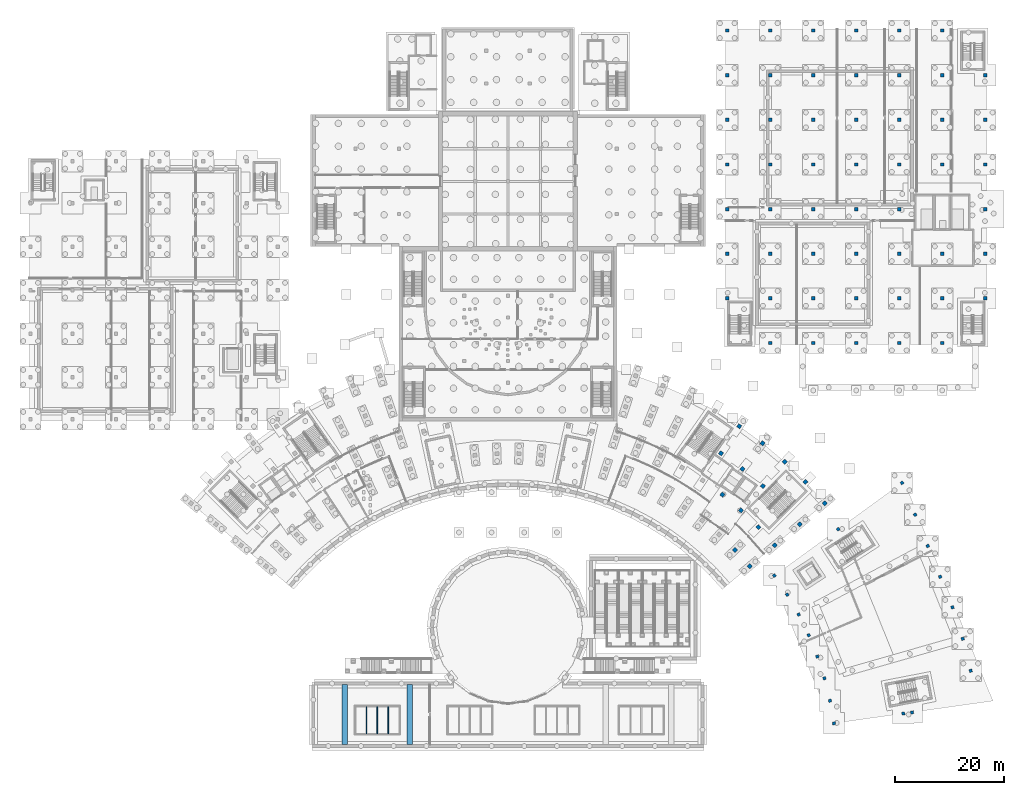
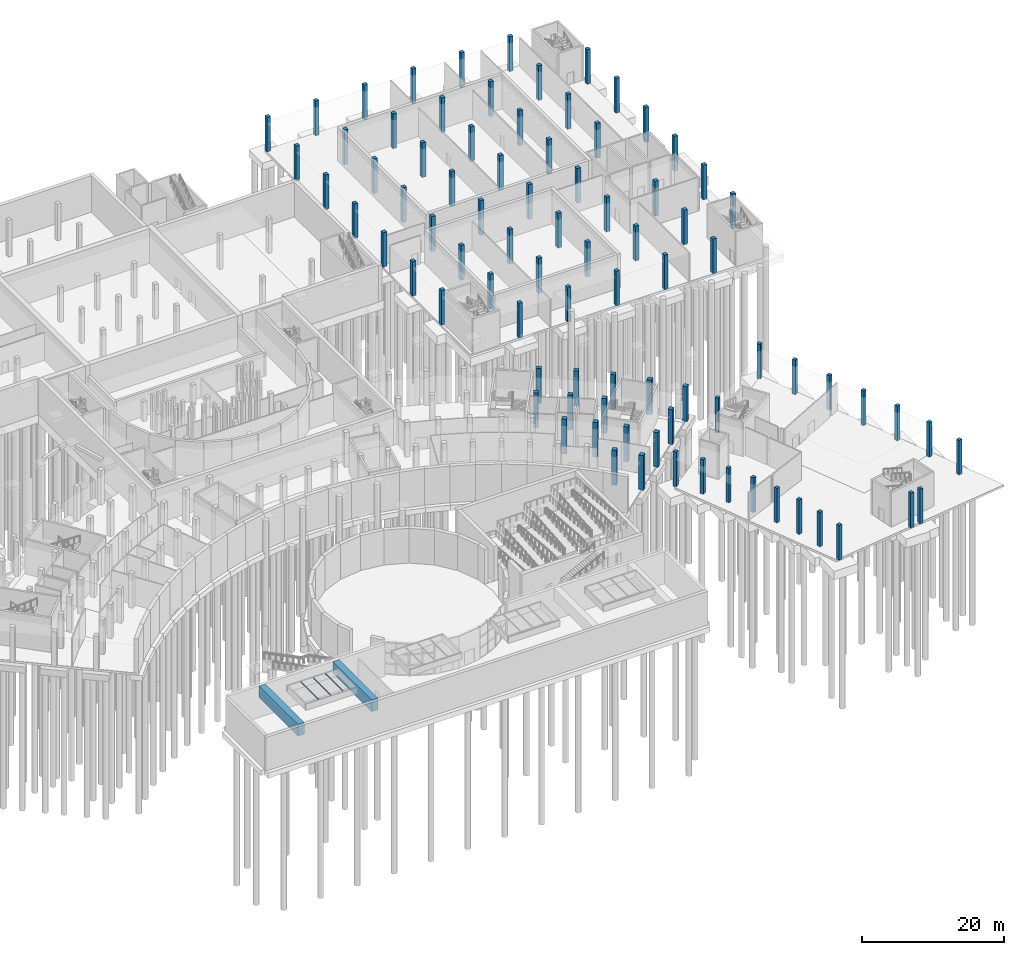
# One storey, part 12 of 66: 85 columns, 5 beams.
"""IFC4 building model written with IfcOpenShell, lengths in metres."""

import ifcopenshell
import ifcopenshell.guid

model = None  # the IFC model being written
_history = None  # IfcOwnerHistory: only IFC2X3 demands one
_inside = {}  # id of a spatial element -> (the spatial element, [elements in it])
_under = {}  # id of a project, library or spatial element -> (it, [spatial elements below it])
_declared = {}  # id of a project -> (the project, [libraries it declares])
_typed = {}  # id of a type object -> (the type object, [elements of that type])
_made_of = {}  # id of a material, layer set ... -> (it, [elements and type objects made of it])


def new_model(schema):
    """Start an empty IFC model of exactly this schema.

    Asked for "IFC4X3", IfcOpenShell would pick the latest addendum, in which some entities
    have other attributes; the version numbers below select the first issue.
    IFC2X3 requires an IfcOwnerHistory on every rooted entity: one is made here for all.
    """
    global model, _history
    if schema == "IFC4X3":
        model = ifcopenshell.file(schema_version=(4, 3, 0, 0))
    else:
        model = ifcopenshell.file(schema=schema)
    _inside.clear()
    _under.clear()
    _declared.clear()
    _typed.clear()
    _made_of.clear()
    _history = None
    if model.schema == "IFC2X3":
        org = make("IfcOrganization", Name="unknown")
        user = make(
            "IfcPersonAndOrganization",
            ThePerson=make("IfcPerson", FamilyName="unknown"),
            TheOrganization=org,
        )
        app = make(
            "IfcApplication",
            ApplicationDeveloper=org,
            Version="unknown",
            ApplicationFullName="unknown",
            ApplicationIdentifier="unknown",
        )
        _history = make(
            "IfcOwnerHistory",
            OwningUser=user,
            OwningApplication=app,
            ChangeAction="ADDED",
            CreationDate=0,
        )
    return model


def make(cls, **values):
    """One entity of the class cls with the attributes given. An attribute that is None is left unset."""
    return model.create_entity(
        cls, **{name: value for name, value in values.items() if value is not None}
    )


def rooted(cls, **values):
    """An entity with a GlobalId (a new one), such as an element, a storey or a relation."""
    return make(cls, GlobalId=ifcopenshell.guid.new(), OwnerHistory=_history, **values)


def si_unit(unit_type, name, prefix=None):
    """IfcSIUnit, for example si_unit("LENGTHUNIT", "METRE", prefix="MILLI")."""
    return make("IfcSIUnit", UnitType=unit_type, Prefix=prefix, Name=name)


def assignment(units):
    """IfcUnitAssignment: the units of a project."""
    return None if units is None else make("IfcUnitAssignment", Units=units)


def point(xyz):
    """IfcCartesianPoint."""
    return None if xyz is None else make("IfcCartesianPoint", Coordinates=xyz)


def direction(xyz):
    """IfcDirection."""
    return None if xyz is None else make("IfcDirection", DirectionRatios=xyz)


def frame(location, z_axis=None, x_axis=None):
    """IfcAxis2Placement3D, a coordinate frame: its origin and axes. An axis left out is left unset."""
    return make(
        "IfcAxis2Placement3D",
        Location=point(location),
        Axis=direction(z_axis),
        RefDirection=direction(x_axis),
    )


def frame_2d(location, x_axis=None):
    """IfcAxis2Placement2D, a coordinate frame in the plane: its origin and x axis."""
    return make(
        "IfcAxis2Placement2D", Location=point(location), RefDirection=direction(x_axis)
    )


def origin():
    """The frame at (0, 0, 0) with its axes left unset."""
    return frame((0.0, 0.0, 0.0))


def origin_2d():
    """The frame at (0, 0) in the plane with its x axis left unset."""
    return frame_2d((0.0, 0.0))


def place(relative_to, where):
    """IfcLocalPlacement: puts the frame where relative to a parent placement (None: the world)."""
    return make(
        "IfcLocalPlacement", PlacementRelTo=relative_to, RelativePlacement=where
    )


def context(
    kind, dimensions, precision=None, world=None, true_north=None, identifier=None
):
    """IfcGeometricRepresentationContext, for example the 3D "Model" context."""
    return make(
        "IfcGeometricRepresentationContext",
        ContextIdentifier=identifier,
        ContextType=kind,
        CoordinateSpaceDimension=dimensions,
        Precision=precision,
        WorldCoordinateSystem=world,
        TrueNorth=true_north,
    )


def subcontext(parent, identifier, kind, view, scale=None):
    """IfcGeometricRepresentationSubContext, for example "Body" below "Model"."""
    return make(
        "IfcGeometricRepresentationSubContext",
        ContextIdentifier=identifier,
        ContextType=kind,
        ParentContext=parent,
        TargetScale=scale,
        TargetView=view,
    )


def project(units=None, contexts=None):
    """IfcProject with its units and contexts."""
    return rooted(
        "IfcProject",
        Name="project",
        RepresentationContexts=contexts,
        UnitsInContext=assignment(units),
    )


def spatial(cls, under=None, at=None, **own):
    """A site, building, storey or space (cls), placed at a placement, below another one or the project."""
    s = rooted(cls, ObjectPlacement=at, **own)
    if under is not None:
        _under.setdefault(under.id(), (under, []))[1].append(s)
    return s


def profile(cls, at=None, kind="AREA", **sizes):
    """A parametric profile (cls). Its sizes go by their IFC names, for example OverallWidth=200.0."""
    return make(cls, ProfileType=kind, Position=at, **sizes)


def rectangle(**sizes):
    """IfcRectangleProfileDef."""
    return profile("IfcRectangleProfileDef", **sizes)


def hollow_rectangle(**sizes):
    """IfcRectangleHollowProfileDef."""
    return profile("IfcRectangleHollowProfileDef", **sizes)


def extrude(swept, where, along, depth):
    """IfcExtrudedAreaSolid: the profile swept, set in the frame where, extruded along a direction by depth."""
    return make(
        "IfcExtrudedAreaSolid",
        SweptArea=swept,
        Position=where,
        ExtrudedDirection=direction(along),
        Depth=depth,
    )


def shape(context_of_items, identifier, shape_type, items):
    """IfcShapeRepresentation: the items that make up one representation, for example the "Body"."""
    return make(
        "IfcShapeRepresentation",
        ContextOfItems=context_of_items,
        RepresentationIdentifier=identifier,
        RepresentationType=shape_type,
        Items=items,
    )


def material(Name=None, Category=None):
    """IfcMaterial."""
    return make("IfcMaterial", Name=Name, Category=Category)


def material_profile(
    of_material, cross_section, Name=None, Category=None, Priority=None
):
    """IfcMaterialProfile: a cross section and its material."""
    return make(
        "IfcMaterialProfile",
        Name=Name,
        Material=of_material,
        Profile=cross_section,
        Priority=Priority,
        Category=Category,
    )


def profile_set(profiles, Name=None, composite=None):
    """IfcMaterialProfileSet."""
    return make(
        "IfcMaterialProfileSet",
        Name=Name,
        MaterialProfiles=profiles,
        CompositeProfile=composite,
    )


def made_of(thing, what):
    """Note that an element or type object is made of a material, layer set ...; save() writes the relation."""
    if what is not None:
        _made_of.setdefault(what.id(), (what, []))[1].append(thing)
    return thing


def type_object(cls, material=None, **own):
    """A type object (cls), such as IfcWallType, which elements share."""
    return made_of(rooted(cls, **own), material)


def element(
    cls,
    number,
    at=None,
    inside=None,
    cuts=None,
    type_object=None,
    material=None,
    context=None,
    identifier="Body",
    shape_type=None,
    held_by="IfcProductDefinitionShape",
    body=None,
    shapes=None,
    **own,
):
    """One element of the class cls, such as IfcWall. Its Tag is "e" and its number.

    at: its placement. inside: the storey or other place that contains it. cuts: it is an
    opening in that element (IfcRelVoidsElement). A single representation is given by context,
    identifier, shape_type and body (its items); several are given by shapes. held_by: the class
    of the entity that holds the representations. save() writes the other relations.
    """
    e = rooted(cls, Tag="e%d" % number, ObjectPlacement=at, **own)
    if body is not None:
        shapes = [shape(context, identifier, shape_type, body)]
    if shapes is not None:
        e.Representation = make(held_by, Representations=shapes)
    if inside is not None:
        _inside.setdefault(inside.id(), (inside, []))[1].append(e)
    if cuts is not None:
        rooted(
            "IfcRelVoidsElement", RelatingBuildingElement=cuts, RelatedOpeningElement=e
        )
    if type_object is not None:
        _typed.setdefault(type_object.id(), (type_object, []))[1].append(e)
    return made_of(e, material)


def aggregate(whole, parts):
    """IfcRelAggregates: a whole, such as a stair, and the parts it consists of."""
    return rooted("IfcRelAggregates", RelatingObject=whole, RelatedObjects=parts)


def save(model, path):
    """Write the relations noted so far, then the file.

    IfcRelAggregates (storeys below a building ...), IfcRelContainedInSpatialStructure (elements
    in a storey), IfcRelDefinesByType, IfcRelAssociatesMaterial and IfcRelDeclares: one each for
    every whole, place, type object, material and project.
    """
    for whole, parts in _under.values():
        aggregate(whole, parts)
    for where, things in _inside.values():
        rooted(
            "IfcRelContainedInSpatialStructure",
            RelatedElements=things,
            RelatingStructure=where,
        )
    for kind, things in _typed.values():
        rooted("IfcRelDefinesByType", RelatedObjects=things, RelatingType=kind)
    for what, things in _made_of.values():
        rooted("IfcRelAssociatesMaterial", RelatedObjects=things, RelatingMaterial=what)
    for by, libraries in _declared.values():
        rooted("IfcRelDeclares", RelatingContext=by, RelatedDefinitions=libraries)
    model.write(path)


model = new_model("IFC4")

# Units and contexts
model_context = context("Model", 3, precision=1e-05, world=origin(), true_north=direction((0.0, 1.0)))
body_context = subcontext(model_context, "Body", "Model", "MODEL_VIEW")
ifc_project = project(units=[si_unit("LENGTHUNIT", "METRE"), si_unit("AREAUNIT", "SQUARE_METRE"), si_unit("VOLUMEUNIT", "CUBIC_METRE"), si_unit("PLANEANGLEUNIT", "RADIAN"), si_unit("MASSUNIT", "GRAM", prefix="KILO")], contexts=[model_context])

# Site, building, storey
site_placement = place(None, origin())
site = spatial("IfcSite", under=ifc_project, at=site_placement, CompositionType="ELEMENT")
building_placement = place(site_placement, origin())
building = spatial("IfcBuilding", under=site, at=building_placement, Name="Lunette Opera House", CompositionType="ELEMENT")
storey_placement = place(building_placement, frame((0.0, 0.0, -6.0)))
storey = spatial("IfcBuildingStorey", under=building, at=storey_placement, Name="B1", CompositionType="ELEMENT", Elevation=-6.0)

# Columns
ifc_material_1 = material(Name="Concrete C35/45", Category="concrete")
ifc_material_profile_1 = material_profile(ifc_material_1, rectangle(XDim=0.550048828125, YDim=0.550048828125, at=origin_2d()), Name="RC COLUMN 550X550")
ifc_profile_set_1 = profile_set([ifc_material_profile_1], Name="Concrete C35/45")
column_type_1 = type_object("IfcColumnType", Name="RC COLUMN 550X550", PredefinedType="COLUMN", material=ifc_profile_set_1)
for number, where, z_axis, x_axis, name in (
    (1, (144.946044921875, 35.56103515625, 0.0), (0.0, 0.0, 1.0), (0.587785252292, -0.809016994375, 0.0), "col-SB-B1-C00"),
    (2, (147.306884765625, 32.06005859375, 0.0), (0.0, 0.0, 1.0), (0.529919264233, -0.848048096156, 0.0), "col-SB-B1-C01"),
    (3, (149.41796875, 28.403076171875, 0.0), (0.0, 0.0, 1.0), (0.469471562786, -0.882947592859, 0.0), "col-SB-B1-C02"),
    (4, (151.27001953125, 24.60791015625, 0.0), (0.0, 0.0, 1.0), (0.406736643076, -0.913545457643, 0.0), "col-SB-B1-C03"),
    (5, (152.85107421875, 20.69189453125, 0.0), (0.0, 0.0, 1.0), (0.342020143326, -0.939692620786, 0.0), "col-SB-B1-C04"),
    (6, (154.156005859375, 16.676025390625, 0.0), (0.0, 0.0, 1.0), (0.275637355817, -0.961261695938, 0.0), "col-SB-B1-C05"),
    (7, (155.177978515625, 12.5791015625, 0.0), (0.0, 0.0, 1.0), (0.207911690818, -0.978147600734, 0.0), "col-SB-B1-C06"),
    (8, (155.910888671875, 8.419921875, 0.0), (0.0, 0.0, 1.0), (0.13917310096, -0.990268068742, 0.0), "col-SB-B1-C07"),
    (9, (156.676025390625, 44.083984375, 0.0), (0.0, 0.0, 1.0), (0.587785252292, -0.809016994375, 0.0), "col-SB-B1-C10"),
    (10, (170.27001953125, 10.43798828125, 0.0), (0.0, 0.0, 1.0), (0.13917310096, -0.990268068742, 0.0), "col-SB-B1-C17"),
    (11, (168.406982421875, 52.60693359375, 0.0), (0.0, 0.0, 1.0), (0.587785252292, -0.809016994375, 0.0), "col-SB-B1-C20"),
    (12, (170.818115234375, 46.751953125, 0.0), (0.0, 0.0, 1.0), (0.529919264233, -0.848048096156, 0.0), "col-SB-B1-C21"),
    (13, (173.133056640625, 41.011962890625, 0.0), (0.0, 0.0, 1.0), (0.469471562786, -0.882947592859, 0.0), "col-SB-B1-C22"),
    (14, (175.4150390625, 35.35791015625, 0.0), (0.0, 0.0, 1.0), (0.406736643076, -0.913545457643, 0.0), "col-SB-B1-C23"),
    (15, (177.68798828125, 29.73193359375, 0.0), (0.0, 0.0, 1.0), (0.342020143326, -0.939692620786, 0.0), "col-SB-B1-C24"),
    (16, (179.56298828125, 23.9609375, 0.0), (0.0, 0.0, 1.0), (0.275637355817, -0.961261695938, 0.0), "col-SB-B1-C25"),
    (17, (181.030029296875, 18.073974609375, 0.0), (0.0, 0.0, 1.0), (0.207911690818, -0.978147600734, 0.0), "col-SB-B1-C26"),
    (18, (168.64697265625, 10.2099609375, 0.0), (0.0, 0.0, 1.0), (0.13917310096, -0.990268068742, 0.0), "col-SB-B1-C27"),
):
    element("IfcColumn", number, at=place(storey_placement, frame(where, z_axis=z_axis, x_axis=x_axis)), inside=storey, type_object=column_type_1, Name=name, PredefinedType="COLUMN", context=body_context, shape_type="SweptSolid", body=[
        extrude(rectangle(XDim=0.550048828125, YDim=0.550048828125, at=origin_2d()), origin(), (0.0, 0.0, 1.0), 6.0),
    ])
ifc_material_2 = material(Name="Concrete C35/45", Category="concrete")
ifc_material_profile_2 = material_profile(ifc_material_2, rectangle(XDim=0.60009765625, YDim=0.60009765625, at=origin_2d()), Name="RC COLUMN 600X600")
ifc_profile_set_2 = profile_set([ifc_material_profile_2], Name="Concrete C35/45")
column_type_2 = type_object("IfcColumnType", Name="RC COLUMN 600X600", PredefinedType="COLUMN", material=ifc_profile_set_2)
for number, where, z_axis, x_axis, name in (
    (19, (136.300048828125, 86.5, 0.0), (0.0, 0.0, 1.0), (1.0, 0.0, 0.0), "col-WW-B1-C01"),
    (20, (136.300048828125, 94.699951171875, 0.0), (0.0, 0.0, 1.0), (1.0, 0.0, 0.0), "col-WW-B1-C02"),
    (21, (136.300048828125, 102.89990234375, 0.0), (0.0, 0.0, 1.0), (1.0, 0.0, 0.0), "col-WW-B1-C03"),
    (22, (136.300048828125, 111.10009765625, 0.0), (0.0, 0.0, 1.0), (1.0, 0.0, 0.0), "col-WW-B1-C04"),
    (23, (136.300048828125, 119.300048828125, 0.0), (0.0, 0.0, 1.0), (1.0, 0.0, 0.0), "col-WW-B1-C05"),
    (24, (136.300048828125, 127.5, 0.0), (0.0, 0.0, 1.0), (1.0, 0.0, 0.0), "col-WW-B1-C06"),
    (25, (136.300048828125, 135.699951171875, 0.0), (0.0, 0.0, 1.0), (1.0, 0.0, 0.0), "col-WW-B1-C07"),
    (26, (144.199951171875, 78.300048828125, 0.0), (0.0, 0.0, 1.0), (1.0, 0.0, 0.0), "col-WW-B1-C10"),
    (27, (144.199951171875, 86.5, 0.0), (0.0, 0.0, 1.0), (1.0, 0.0, 0.0), "col-WW-B1-C11"),
    (28, (144.199951171875, 94.699951171875, 0.0), (0.0, 0.0, 1.0), (1.0, 0.0, 0.0), "col-WW-B1-C12"),
    (29, (144.199951171875, 102.89990234375, 0.0), (0.0, 0.0, 1.0), (1.0, 0.0, 0.0), "col-WW-B1-C13"),
    (30, (144.199951171875, 111.10009765625, 0.0), (0.0, 0.0, 1.0), (1.0, 0.0, 0.0), "col-WW-B1-C14"),
    (31, (144.199951171875, 119.300048828125, 0.0), (0.0, 0.0, 1.0), (1.0, 0.0, 0.0), "col-WW-B1-C15"),
    (32, (144.199951171875, 127.5, 0.0), (0.0, 0.0, 1.0), (1.0, 0.0, 0.0), "col-WW-B1-C16"),
    (33, (144.199951171875, 135.699951171875, 0.0), (0.0, 0.0, 1.0), (1.0, 0.0, 0.0), "col-WW-B1-C17"),
    (34, (152.10009765625, 78.300048828125, 0.0), (0.0, 0.0, 1.0), (1.0, 0.0, 0.0), "col-WW-B1-C20"),
    (35, (152.10009765625, 86.5, 0.0), (0.0, 0.0, 1.0), (1.0, 0.0, 0.0), "col-WW-B1-C21"),
    (36, (152.10009765625, 94.699951171875, 0.0), (0.0, 0.0, 1.0), (1.0, 0.0, 0.0), "col-WW-B1-C22"),
    (37, (152.10009765625, 102.89990234375, 0.0), (0.0, 0.0, 1.0), (1.0, 0.0, 0.0), "col-WW-B1-C23"),
    (38, (152.10009765625, 111.10009765625, 0.0), (0.0, 0.0, 1.0), (1.0, 0.0, 0.0), "col-WW-B1-C24"),
    (39, (152.10009765625, 119.300048828125, 0.0), (0.0, 0.0, 1.0), (1.0, 0.0, 0.0), "col-WW-B1-C25"),
    (40, (152.10009765625, 127.5, 0.0), (0.0, 0.0, 1.0), (1.0, 0.0, 0.0), "col-WW-B1-C26"),
    (41, (152.10009765625, 135.699951171875, 0.0), (0.0, 0.0, 1.0), (1.0, 0.0, 0.0), "col-WW-B1-C27"),
    (42, (160.0, 78.300048828125, 0.0), (0.0, 0.0, 1.0), (1.0, 0.0, 0.0), "col-WW-B1-C30"),
    (43, (160.0, 86.5, 0.0), (0.0, 0.0, 1.0), (1.0, 0.0, 0.0), "col-WW-B1-C31"),
    (44, (160.0, 94.699951171875, 0.0), (0.0, 0.0, 1.0), (1.0, 0.0, 0.0), "col-WW-B1-C32"),
    (45, (160.0, 102.89990234375, 0.0), (0.0, 0.0, 1.0), (1.0, 0.0, 0.0), "col-WW-B1-C33"),
    (46, (160.0, 111.10009765625, 0.0), (0.0, 0.0, 1.0), (1.0, 0.0, 0.0), "col-WW-B1-C34"),
    (47, (160.0, 119.300048828125, 0.0), (0.0, 0.0, 1.0), (1.0, 0.0, 0.0), "col-WW-B1-C35"),
    (48, (160.0, 127.5, 0.0), (0.0, 0.0, 1.0), (1.0, 0.0, 0.0), "col-WW-B1-C36"),
    (49, (160.0, 135.699951171875, 0.0), (0.0, 0.0, 1.0), (1.0, 0.0, 0.0), "col-WW-B1-C37"),
    (50, (167.89990234375, 78.300048828125, 0.0), (0.0, 0.0, 1.0), (1.0, 0.0, 0.0), "col-WW-B1-C40"),
    (51, (167.89990234375, 86.5, 0.0), (0.0, 0.0, 1.0), (1.0, 0.0, 0.0), "col-WW-B1-C41"),
    (52, (167.89990234375, 94.699951171875, 0.0), (0.0, 0.0, 1.0), (1.0, 0.0, 0.0), "col-WW-B1-C42"),
    (53, (167.89990234375, 102.89990234375, 0.0), (0.0, 0.0, 1.0), (1.0, 0.0, 0.0), "col-WW-B1-C43"),
    (54, (167.89990234375, 111.10009765625, 0.0), (0.0, 0.0, 1.0), (1.0, 0.0, 0.0), "col-WW-B1-C44"),
    (55, (167.89990234375, 119.300048828125, 0.0), (0.0, 0.0, 1.0), (1.0, 0.0, 0.0), "col-WW-B1-C45"),
    (56, (167.89990234375, 127.5, 0.0), (0.0, 0.0, 1.0), (1.0, 0.0, 0.0), "col-WW-B1-C46"),
    (57, (167.89990234375, 135.699951171875, 0.0), (0.0, 0.0, 1.0), (1.0, 0.0, 0.0), "col-WW-B1-C47"),
    (58, (175.800048828125, 78.300048828125, 0.0), (0.0, 0.0, 1.0), (1.0, 0.0, 0.0), "col-WW-B1-C50"),
    (59, (175.800048828125, 86.5, 0.0), (0.0, 0.0, 1.0), (1.0, 0.0, 0.0), "col-WW-B1-C51"),
    (60, (175.800048828125, 94.699951171875, 0.0), (0.0, 0.0, 1.0), (1.0, 0.0, 0.0), "col-WW-B1-C52"),
    (61, (175.800048828125, 111.10009765625, 0.0), (0.0, 0.0, 1.0), (1.0, 0.0, 0.0), "col-WW-B1-C54"),
    (62, (175.800048828125, 119.300048828125, 0.0), (0.0, 0.0, 1.0), (1.0, 0.0, 0.0), "col-WW-B1-C55"),
    (63, (175.800048828125, 127.5, 0.0), (0.0, 0.0, 1.0), (1.0, 0.0, 0.0), "col-WW-B1-C56"),
    (64, (175.800048828125, 135.699951171875, 0.0), (0.0, 0.0, 1.0), (1.0, 0.0, 0.0), "col-WW-B1-C57"),
    (65, (183.699951171875, 86.5, 0.0), (0.0, 0.0, 1.0), (1.0, 0.0, 0.0), "col-WW-B1-C61"),
    (66, (183.699951171875, 94.699951171875, 0.0), (0.0, 0.0, 1.0), (1.0, 0.0, 0.0), "col-WW-B1-C62"),
    (67, (183.699951171875, 102.89990234375, 0.0), (0.0, 0.0, 1.0), (1.0, 0.0, 0.0), "col-WW-B1-C63"),
    (68, (183.699951171875, 111.10009765625, 0.0), (0.0, 0.0, 1.0), (1.0, 0.0, 0.0), "col-WW-B1-C64"),
    (69, (183.699951171875, 119.300048828125, 0.0), (0.0, 0.0, 1.0), (1.0, 0.0, 0.0), "col-WW-B1-C65"),
    (70, (183.699951171875, 127.5, 0.0), (0.0, 0.0, 1.0), (1.0, 0.0, 0.0), "col-WW-B1-C66"),
):
    element("IfcColumn", number, at=place(storey_placement, frame(where, z_axis=z_axis, x_axis=x_axis)), inside=storey, type_object=column_type_2, Name=name, PredefinedType="COLUMN", context=body_context, shape_type="SweptSolid", body=[
        extrude(rectangle(XDim=0.60009765625, YDim=0.60009765625, at=origin_2d()), origin(), (0.0, 0.0, 1.0), 6.0),
    ])
ifc_material_3 = material(Name="Concrete C35/45", Category="concrete")
ifc_material_profile_3 = material_profile(ifc_material_3, rectangle(XDim=0.699951171875, YDim=0.699951171875, at=origin_2d()), Name="RC COLUMN 700X700")
ifc_profile_set_3 = profile_set([ifc_material_profile_3], Name="Concrete C35/45")
column_type_3 = type_object("IfcColumnType", Name="RC COLUMN 700X700", PredefinedType="COLUMN", material=ifc_profile_set_3)
for number, where, z_axis, x_axis, name in (
    (71, (137.721923828125, 40.2900390625, 0.0), (0.0, 0.0, 1.0), (0.694658370459, -0.719339800339, 0.0), "col-FC-B1-AR-M1-RL-25"),
    (72, (140.430908203125, 37.281982421875, 0.0), (0.0, 0.0, 1.0), (0.642787609687, -0.766044443119, 0.0), "col-FC-B1-AR-M1-RL-26"),
    (73, (135.402099609375, 50.43310546875, 0.0), (0.0, 0.0, 1.0), (0.788010753607, -0.615661475326, 0.0), "col-FC-B1-AR-B-RL-23"),
    (74, (138.823974609375, 47.56103515625, 0.0), (0.0, 0.0, 1.0), (0.743144825477, -0.669130606359, 0.0), "col-FC-B1-AR-B-RL-24"),
    (75, (142.0380859375, 44.4580078125, 0.0), (0.0, 0.0, 1.0), (0.694658370459, -0.719339800339, 0.0), "col-FC-B1-AR-B-RL-25"),
    (76, (145.027099609375, 41.137939453125, 0.0), (0.0, 0.0, 1.0), (0.642787609687, -0.766044443119, 0.0), "col-FC-B1-AR-B-RL-26"),
    (77, (135.14404296875, 58.032958984375, 0.0), (0.0, 0.0, 1.0), (0.829037572555, -0.559192903471, 0.0), "col-FC-B1-AR-M2-RL-22"),
    (78, (139.095947265625, 55.160888671875, 0.0), (0.0, 0.0, 1.0), (0.788010753607, -0.615661475326, 0.0), "col-FC-B1-AR-M2-RL-23"),
    (79, (142.839111328125, 52.02001953125, 0.0), (0.0, 0.0, 1.0), (0.743144825477, -0.669130606359, 0.0), "col-FC-B1-AR-M2-RL-24"),
    (80, (149.623046875, 44.9951171875, 0.0), (0.0, 0.0, 1.0), (0.642787609687, -0.766044443119, 0.0), "col-FC-B1-AR-M2-RL-26"),
    (81, (138.4990234375, 63.007080078125, 0.0), (0.0, 0.0, 1.0), (0.829037572555, -0.559192903471, 0.0), "col-FC-B1-AR-C-RL-22"),
    (82, (142.7900390625, 59.888916015625, 0.0), (0.0, 0.0, 1.0), (0.788010753607, -0.615661475326, 0.0), "col-FC-B1-AR-C-RL-23"),
    (83, (146.85400390625, 56.47900390625, 0.0), (0.0, 0.0, 1.0), (0.743144825477, -0.669130606359, 0.0), "col-FC-B1-AR-C-RL-24"),
    (84, (150.669921875, 52.7939453125, 0.0), (0.0, 0.0, 1.0), (0.694658370459, -0.719339800339, 0.0), "col-FC-B1-AR-C-RL-25"),
    (85, (154.218994140625, 48.85205078125, 0.0), (0.0, 0.0, 1.0), (0.642787609687, -0.766044443119, 0.0), "col-FC-B1-AR-C-RL-26"),
):
    element("IfcColumn", number, at=place(storey_placement, frame(where, z_axis=z_axis, x_axis=x_axis)), inside=storey, type_object=column_type_3, Name=name, PredefinedType="COLUMN", context=body_context, shape_type="SweptSolid", body=[
        extrude(rectangle(XDim=0.699951171875, YDim=0.699951171875, at=origin_2d()), origin(), (0.0, 0.0, 1.0), 6.0),
    ])

# Beams
ifc_material_4 = material(Name="Concrete C40/50", Category="concrete")
ifc_material_profile_4 = material_profile(ifc_material_4, rectangle(XDim=1.0, YDim=2.0, at=origin_2d()), Name="CONCOURSE GIRDER 1000X2000")
ifc_profile_set_4 = profile_set([ifc_material_profile_4], Name="Concrete C40/50")
beam_type_1 = type_object("IfcBeamType", Name="CONCOURSE GIRDER 1000X2000", PredefinedType="BEAM", material=ifc_profile_set_4)
for number, where, z_axis, x_axis, name in (
    (86, (66.0, 4.489990234375, 4.5), (0.0, 1.0, 0.0), (-1.0, 0.0, 0.0), "beam-SF-B1-CG1"),
    (87, (78.0, 4.489990234375, 4.5), (0.0, 1.0, 0.0), (-1.0, 0.0, 0.0), "beam-SF-B1-CG2"),
):
    element("IfcBeam", number, at=place(storey_placement, frame(where, z_axis=z_axis, x_axis=x_axis)), inside=storey, type_object=beam_type_1, Name=name, PredefinedType="BEAM", context=body_context, shape_type="SweptSolid", body=[
        extrude(rectangle(XDim=1.0, YDim=2.0, at=origin_2d()), origin(), (0.0, 0.0, 1.0), 11.02001953125),
    ])
ifc_material_5 = material(Name="Steel S355", Category="steel")
ifc_material_profile_5 = material_profile(ifc_material_5, hollow_rectangle(XDim=0.1201171875, YDim=0.1201171875, WallThickness=0.006103515625, InnerFilletRadius=0.006103515625, OuterFilletRadius=0.011962890625, at=origin_2d()), Name="RHS 120X120X6")
ifc_profile_set_5 = profile_set([ifc_material_profile_5], Name="Steel S355")
beam_type_2 = type_object("IfcBeamType", Name="STEEL BEAM RHS 120X120X6", PredefinedType="BEAM", material=ifc_profile_set_5)
for number, where, z_axis, x_axis, name in (
    (88, (70.0, 6.5, 7.0400390625), (0.0, 1.0, 0.0), (-1.0, 0.0, 0.0), "Rooflight beam RL1 1"),
    (89, (72.0, 6.5, 7.0400390625), (0.0, 1.0, 0.0), (-1.0, 0.0, 0.0), "Rooflight beam RL1 2"),
    (90, (74.0, 6.5, 7.0400390625), (0.0, 1.0, 0.0), (-1.0, 0.0, 0.0), "Rooflight beam RL1 3"),
):
    element("IfcBeam", number, at=place(storey_placement, frame(where, z_axis=z_axis, x_axis=x_axis)), inside=storey, type_object=beam_type_2, Name=name, PredefinedType="BEAM", context=body_context, shape_type="SweptSolid", body=[
        extrude(hollow_rectangle(XDim=0.1201171875, YDim=0.1201171875, WallThickness=0.006103515625, InnerFilletRadius=0.006103515625, OuterFilletRadius=0.011962890625, at=origin_2d()), origin(), (0.0, 0.0, 1.0), 5.0),
    ])

save(model, "model.ifc")
